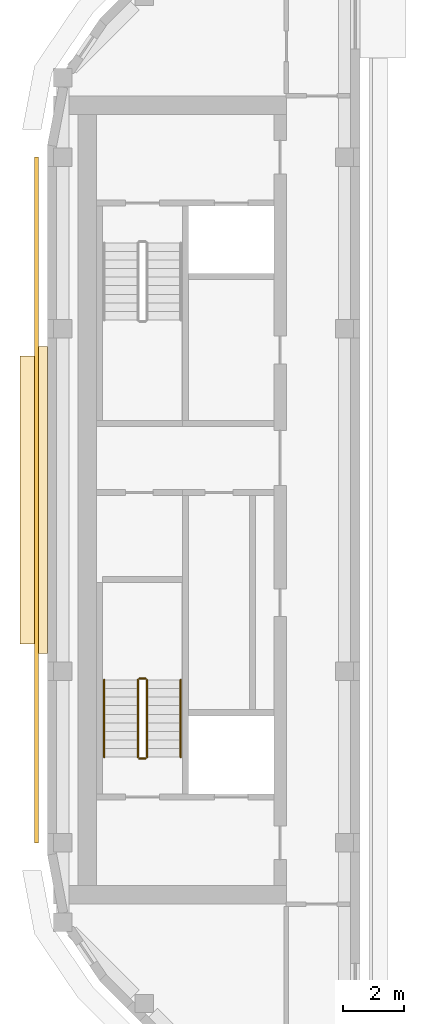
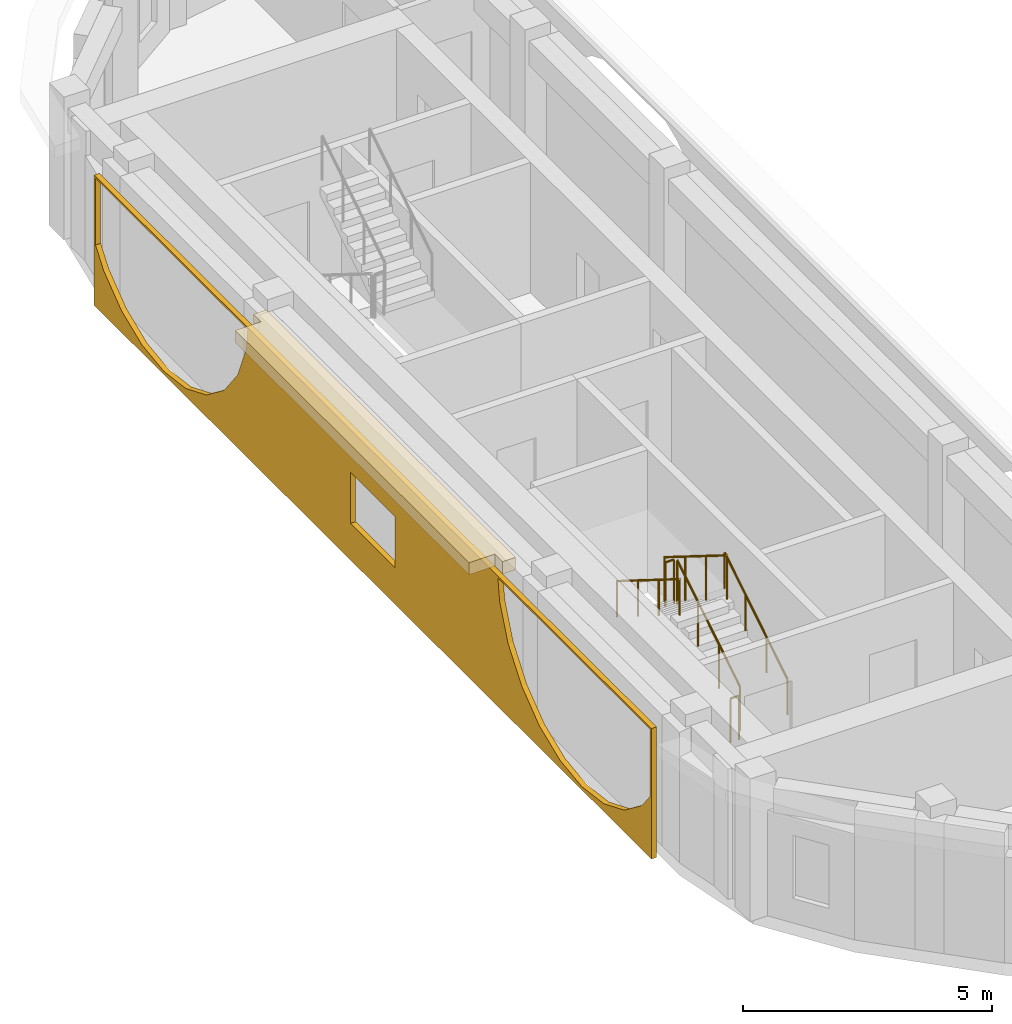
# One storey, part 6 of 12: 6 railings, 2 coverings.
"""IFC4 building model written with IfcOpenShell, lengths in metres."""

from ifc_helpers import new_model, si_unit, direction, frame, origin, origin_2d, place, context, subcontext, project, spatial, polyline, circle, outline, extrude, material, layer, layer_set, type_object, element, save


model = new_model("IFC4")

# Units and contexts
model_context = context("Model", 3, precision=1e-05, world=origin(), true_north=direction((0.0, 1.0)))
body_context = subcontext(model_context, "Body", "Model", "MODEL_VIEW")
ifc_project = project(units=[si_unit("LENGTHUNIT", "METRE"), si_unit("AREAUNIT", "SQUARE_METRE"), si_unit("VOLUMEUNIT", "CUBIC_METRE"), si_unit("PLANEANGLEUNIT", "RADIAN"), si_unit("MASSUNIT", "GRAM", prefix="KILO")], contexts=[model_context])

# Site, building, storey
site_placement = place(None, origin())
site = spatial("IfcSite", under=ifc_project, at=site_placement, CompositionType="ELEMENT")
building_placement = place(site_placement, origin())
building = spatial("IfcBuilding", under=site, at=building_placement, Name="Kiln Ring Residences", CompositionType="ELEMENT")
storey_placement = place(building_placement, frame((0.0, 0.0, 306.89990234375)))
storey = spatial("IfcBuildingStorey", under=building, at=storey_placement, Name="L79 Crown", CompositionType="ELEMENT", Elevation=306.89990234375)

# Railings
ifc_material_1 = material(Name="Stainless steel", Category="steel")
railing_type_1 = type_object("IfcRailingType", Name="CORE-STAIR-GUARD", PredefinedType="GUARDRAIL", material=ifc_material_1)
railing_1_placement = place(storey_placement, frame((-21.949951171875, -8.39990234375, 0.175048828125)))
element("IfcRailing", 1, at=railing_1_placement, inside=storey, type_object=railing_type_1, Name="L79 Crown W-STS stair guard 1", PredefinedType="GUARDRAIL", context=body_context, shape_type="SweptSolid", body=[
    extrude(circle(Radius=0.02392578125, at=origin_2d()), frame((0.0, 0.0, 1.076171875), z_axis=(0.0, 0.848007534815, 0.529984170421), x_axis=(-1.0, 0.0, 0.0)), (0.0, 0.0, 1.0), 2.9716796875),
    extrude(circle(Radius=0.02099609375, at=origin_2d()), origin(), (0.0, 0.0, 1.0), 1.052001953125),
    extrude(circle(Radius=0.02099609375, at=origin_2d()), frame((0.0, 0.840087890625, 0.52490234375)), (0.0, 0.0, 1.0), 1.052001953125),
    extrude(circle(Radius=0.02099609375, at=origin_2d()), frame((0.0, 1.679931640625, 1.050048828125)), (0.0, 0.0, 1.0), 1.052001953125),
    extrude(circle(Radius=0.02099609375, at=origin_2d()), frame((0.0, 2.52001953125, 1.574951171875)), (0.0, 0.0, 1.0), 1.052001953125),
])
railing_2_placement = place(storey_placement, frame((-22.0, -5.830078125, 1.75)))
element("IfcRailing", 2, at=railing_2_placement, inside=storey, type_object=railing_type_1, Name="L79 Crown W-STS stair guard 2", PredefinedType="GUARDRAIL", context=body_context, shape_type="SweptSolid", body=[
    extrude(circle(Radius=0.02392578125, at=origin_2d()), frame((0.0, 0.0, 1.076171875), z_axis=(-1.0, 0.0, 0.0), x_axis=(0.0, -1.0, 0.0)), (0.0, 0.0, 1.0), 0.199951171875),
    extrude(circle(Radius=0.02099609375, at=origin_2d()), origin(), (0.0, 0.0, 1.0), 1.052001953125),
    extrude(circle(Radius=0.02099609375, at=origin_2d()), frame((-0.199951171875, 0.0, 0.0)), (0.0, 0.0, 1.0), 1.052001953125),
])
railing_3_placement = place(storey_placement, frame((-22.25, -5.8798828125, 1.925048828125)))
element("IfcRailing", 3, at=railing_3_placement, inside=storey, type_object=railing_type_1, Name="L79 Crown W-STS stair guard 3", PredefinedType="GUARDRAIL", context=body_context, shape_type="SweptSolid", body=[
    extrude(circle(Radius=0.02392578125, at=origin_2d()), frame((0.0, 0.0, 1.076171875), z_axis=(0.0, -0.848007534815, 0.529984170421), x_axis=(1.0, 0.0, 0.0)), (0.0, 0.0, 1.0), 2.9716796875),
    extrude(circle(Radius=0.02099609375, at=origin_2d()), origin(), (0.0, 0.0, 1.0), 1.052001953125),
    extrude(circle(Radius=0.02099609375, at=origin_2d()), frame((0.0, -0.840087890625, 0.52490234375)), (0.0, 0.0, 1.0), 1.052001953125),
    extrude(circle(Radius=0.02099609375, at=origin_2d()), frame((0.0, -1.679931640625, 1.050048828125)), (0.0, 0.0, 1.0), 1.052001953125),
    extrude(circle(Radius=0.02099609375, at=origin_2d()), frame((0.0, -2.52001953125, 1.574951171875)), (0.0, 0.0, 1.0), 1.052001953125),
])
railing_4_placement = place(storey_placement, frame((-22.0, -8.449951171875, 0.0)))
element("IfcRailing", 4, at=railing_4_placement, inside=storey, type_object=railing_type_1, Name="L79 Crown W-STS stair guard 4", PredefinedType="GUARDRAIL", context=body_context, shape_type="SweptSolid", body=[
    extrude(circle(Radius=0.02392578125, at=origin_2d()), frame((0.0, 0.0, 1.076171875), z_axis=(-1.0, 0.0, 0.0), x_axis=(0.0, -1.0, 0.0)), (0.0, 0.0, 1.0), 0.199951171875),
    extrude(circle(Radius=0.02099609375, at=origin_2d()), origin(), (0.0, 0.0, 1.0), 1.052001953125),
    extrude(circle(Radius=0.02099609375, at=origin_2d()), frame((-0.199951171875, 0.0, 0.0)), (0.0, 0.0, 1.0), 1.052001953125),
])
ifc_material_2 = material(Name="Stainless steel", Category="steel")
railing_type_2 = type_object("IfcRailingType", Name="CORE-STAIR-HANDRAIL", PredefinedType="HANDRAIL", material=ifc_material_2)
railing_5_placement = place(storey_placement, frame((-20.85009765625, -8.39990234375, 0.175048828125)))
element("IfcRailing", 5, at=railing_5_placement, inside=storey, type_object=railing_type_2, Name="L79 Crown W-STS stair handrail 1", PredefinedType="HANDRAIL", context=body_context, shape_type="SweptSolid", body=[
    extrude(circle(Radius=0.02392578125, at=origin_2d()), frame((0.0, 0.0, 0.8759765625), z_axis=(0.0, 0.848007534815, 0.529984170421), x_axis=(-1.0, 0.0, 0.0)), (0.0, 0.0, 1.0), 2.9716796875),
    extrude(circle(Radius=0.02099609375, at=origin_2d()), origin(), (0.0, 0.0, 1.0), 0.851806640625),
    extrude(circle(Radius=0.02099609375, at=origin_2d()), frame((0.0, 0.840087890625, 0.52490234375)), (0.0, 0.0, 1.0), 0.851806640625),
    extrude(circle(Radius=0.02099609375, at=origin_2d()), frame((0.0, 1.679931640625, 1.050048828125)), (0.0, 0.0, 1.0), 0.851806640625),
    extrude(circle(Radius=0.02099609375, at=origin_2d()), frame((0.0, 2.52001953125, 1.574951171875)), (0.0, 0.0, 1.0), 0.851806640625),
])
railing_6_placement = place(storey_placement, frame((-23.35009765625, -5.8798828125, 1.925048828125)))
element("IfcRailing", 6, at=railing_6_placement, inside=storey, type_object=railing_type_2, Name="L79 Crown W-STS stair handrail 2", PredefinedType="HANDRAIL", context=body_context, shape_type="SweptSolid", body=[
    extrude(circle(Radius=0.02392578125, at=origin_2d()), frame((0.0, 0.0, 0.8759765625), z_axis=(0.0, -0.848007534815, 0.529984170421), x_axis=(1.0, 0.0, 0.0)), (0.0, 0.0, 1.0), 2.9716796875),
    extrude(circle(Radius=0.02099609375, at=origin_2d()), origin(), (0.0, 0.0, 1.0), 0.851806640625),
    extrude(circle(Radius=0.02099609375, at=origin_2d()), frame((0.0, -0.840087890625, 0.52490234375)), (0.0, 0.0, 1.0), 0.851806640625),
    extrude(circle(Radius=0.02099609375, at=origin_2d()), frame((0.0, -1.679931640625, 1.050048828125)), (0.0, 0.0, 1.0), 0.851806640625),
    extrude(circle(Radius=0.02099609375, at=origin_2d()), frame((0.0, -2.52001953125, 1.574951171875)), (0.0, 0.0, 1.0), 0.851806640625),
])

# Coverings
ifc_material_3 = material(Name="Brick masonry, dark clay brick", Category="masonry")
ifc_layer_1 = layer(ifc_material_3, 0.1201171875)
ifc_layer_set_1 = layer_set([ifc_layer_1], Name="RAINSCREEN PANEL 120")
covering_type_1 = type_object("IfcCoveringType", Name="RAINSCREEN PANEL 120", PredefinedType="CLADDING", material=ifc_layer_set_1)
covering_1_placement = place(storey_placement, frame((-25.56005859375, 11.199951171875, 0.0), z_axis=(0.0, 0.0, 1.0), x_axis=(0.0, -1.0, 0.0)))
element("IfcCovering", 7, at=covering_1_placement, inside=storey, type_object=covering_type_1, Name="RAINSCREEN L79 Crown", PredefinedType="CLADDING", context=body_context, shape_type="SweptSolid", body=[
    extrude(outline(polyline([(0.0, 0.0), (22.39990234375, 0.0), (22.39990234375, 3.2001953125), (0.0, 3.2001953125), (0.0, 0.0)]), holes=[polyline([(12.10009765625, 0.900146484375), (12.10009765625, 2.150146484375), (10.300048828125, 2.150146484375), (10.300048828125, 0.900146484375), (12.10009765625, 0.900146484375)]), polyline([(4.510009765625, 0.538330078125), (5.21826171875, 1.081787109375), (5.76171875, 1.7900390625), (6.103515625, 2.614990234375), (6.173828125, 3.150146484375), (0.050048828125, 3.150146484375), (0.050048828125, 1.51416015625), (0.381591796875, 1.081787109375), (1.090087890625, 0.538330078125), (1.914794921875, 0.196533203125), (2.800048828125, 0.080078125), (3.685302734375, 0.196533203125), (4.510009765625, 0.538330078125)]), polyline([(21.31005859375, 0.538330078125), (22.018310546875, 1.081787109375), (22.35009765625, 1.51416015625), (22.35009765625, 3.150146484375), (16.22607421875, 3.150146484375), (16.29638671875, 2.614990234375), (16.63818359375, 1.7900390625), (17.181640625, 1.081787109375), (17.889892578125, 0.538330078125), (18.71484375, 0.196533203125), (19.60009765625, 0.080078125), (20.485107421875, 0.196533203125), (21.31005859375, 0.538330078125)])]), frame((0.0, 0.06005859375, 0.0), z_axis=(0.0, -1.0, 0.0), x_axis=(1.0, 0.0, 0.0)), (0.0, 0.0, 1.0), 0.1201171875),
])
ifc_material_4 = material(Name="Black powder-coated steel", Category="steel")
ifc_layer_2 = layer(ifc_material_4, 0.300048828125)
ifc_layer_set_2 = layer_set([ifc_layer_2], Name="SUNSHADE FIN 600")
covering_type_2 = type_object("IfcCoveringType", Name="SUNSHADE FIN 600", PredefinedType="CLADDING", material=ifc_layer_set_2)
covering_2_placement = place(storey_placement, frame((0.0, 0.0, 3.2001953125)))
element("IfcCovering", 8, at=covering_2_placement, inside=storey, type_object=covering_type_2, Name="SUNSHADE FIN L79 Crown", PredefinedType="CLADDING", context=body_context, shape_type="SweptSolid", body=[
    extrude(outline(polyline([(-26.10009765625, -4.699951171875), (-25.5, -4.699951171875), (-25.5, -5.010009765625), (-25.199951171875, -5.010009765625), (-25.199951171875, 5.010009765625), (-25.5, 5.010009765625), (-25.5, 4.699951171875), (-26.10009765625, 4.699951171875), (-26.10009765625, -4.699951171875)])), origin(), (0.0, 0.0, 1.0), 0.2998046875),
])

save(model, "model.ifc")
